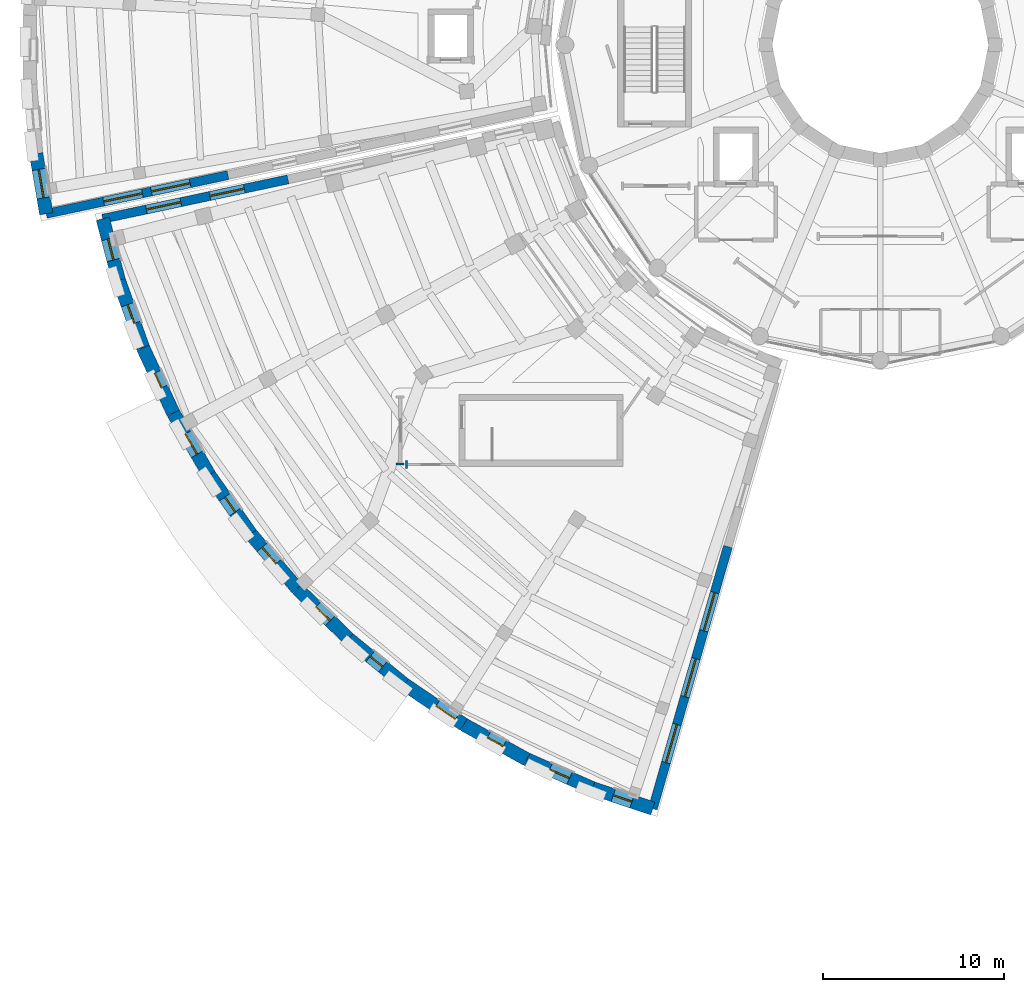
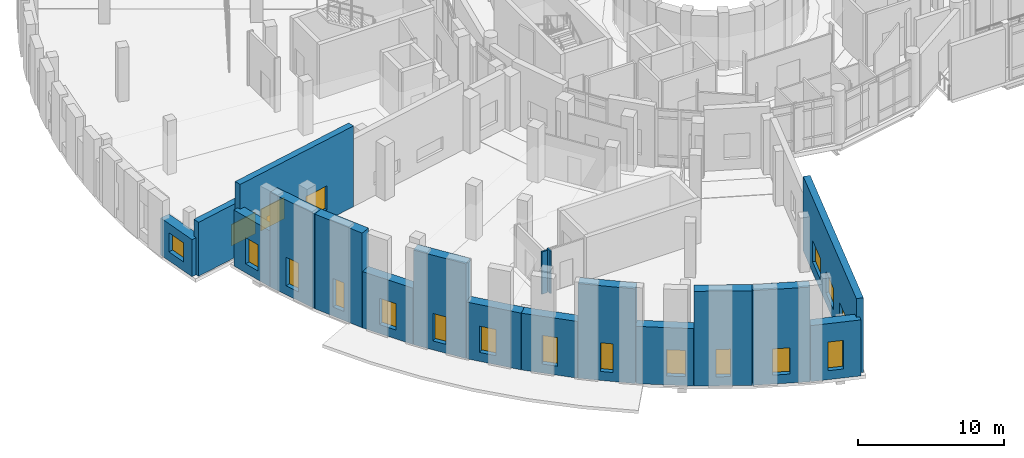
# One storey, part 60 of 89: 20 windows, 18 walls, 20 openings.
"""IFC4 building model written with IfcOpenShell, lengths in metres."""

from ifc_helpers import new_model, si_unit, direction, frame, frame_2d, origin, place, context, subcontext, project, spatial, rectangle, extrude, material, layer, layer_set, type_object, element, fill, save


model = new_model("IFC4")

# Units and contexts
model_context = context("Model", 3, precision=1e-05, world=origin(), true_north=direction((0.0, 1.0)))
body_context = subcontext(model_context, "Body", "Model", "MODEL_VIEW")
ifc_project = project(units=[si_unit("LENGTHUNIT", "METRE"), si_unit("AREAUNIT", "SQUARE_METRE"), si_unit("VOLUMEUNIT", "CUBIC_METRE"), si_unit("PLANEANGLEUNIT", "RADIAN"), si_unit("MASSUNIT", "GRAM", prefix="KILO")], contexts=[model_context])

# Site, building, storey
site_placement = place(None, origin())
site = spatial("IfcSite", under=ifc_project, at=site_placement, CompositionType="ELEMENT")
building_placement = place(site_placement, origin())
building = spatial("IfcBuilding", under=site, at=building_placement, Name="Soyqirgoq Riverine Aquarium", CompositionType="ELEMENT")
storey_placement = place(building_placement, frame((0.0, 0.0, 5.39990234375)))
storey = spatial("IfcBuildingStorey", under=building, at=storey_placement, Name="L02", CompositionType="ELEMENT", Elevation=5.39990234375)

# Walls
ifc_material_1 = material(Name="Lightweight steel-stud gypsum partition", Category="steel")
ifc_layer_1 = layer(ifc_material_1, 0.1201171875)
ifc_layer_set_1 = layer_set([ifc_layer_1], Name="Lightweight steel-stud gypsum partition")
wall_type_1 = type_object("IfcWallType", Name="PartitionWall_120_Std", PredefinedType="PARTITIONING", material=ifc_layer_set_1)
wall_1_placement = place(storey_placement, frame((29.179931640625, 33.800048828125, 0.0), z_axis=(0.0, 0.0, 1.0), x_axis=(1.0, 0.0, 0.0)))
element("IfcWall", 1, at=wall_1_placement, inside=storey, type_object=wall_type_1, Name="V2 L02 Jamb Return Pier", PredefinedType="PARTITIONING", context=body_context, shape_type="SweptSolid", body=[
    extrude(rectangle(XDim=0.440185546875, YDim=0.1201171875, at=frame_2d((0.22021484375, 0.0))), origin(), (0.0, 0.0, 1.0), 3.550048828125),
])
wall_2_placement = place(storey_placement, frame((29.760498046875, 33.97998046875, 0.0), z_axis=(0.0, 0.0, 1.0), x_axis=(0.0, -1.0, 0.0)))
element("IfcWall", 2, at=wall_2_placement, inside=storey, type_object=wall_type_1, Name="V2 L02 Jamb Return Pier", PredefinedType="PARTITIONING", context=body_context, shape_type="SweptSolid", body=[
    extrude(rectangle(XDim=0.43994140625, YDim=0.1201171875, at=frame_2d((0.219970703125, 0.0))), origin(), (0.0, 0.0, 1.0), 3.550048828125),
])

# Wall, openings, windows
ifc_material_2 = material(Name="Honed travertine limestone cavity wall", Category="masonry")
ifc_layer_2 = layer(ifc_material_2, 0.5)
ifc_layer_set_2 = layer_set([ifc_layer_2], Name="Honed travertine limestone cavity wall")
wall_type_2 = type_object("IfcWallType", Name="TravertineCavityWall_500", PredefinedType="SOLIDWALL", material=ifc_layer_set_2)
wall_3_placement = place(storey_placement, frame((47.55419921875, 29.214599609375, 0.0), z_axis=(0.0, 0.0, 1.0), x_axis=(-0.275641876593, -0.961260399615, 0.0)))
wall_3 = element("IfcWall", 3, at=wall_3_placement, inside=storey, type_object=wall_type_2, Name="V2 L02 Exterior Travertine Wall 0077", PredefinedType="SOLIDWALL", context=body_context, shape_type="SweptSolid", body=[
    extrude(rectangle(XDim=15.091796875, YDim=0.5, at=frame_2d((7.5458984375, 0.0))), origin(), (0.0, 0.0, 1.0), 6.25341796875),
])
opening_1_placement = place(wall_3_placement, frame((2.64599609375, 0.0, 0.89990234375)))
opening_1 = element("IfcOpeningElement", 4, at=opening_1_placement, cuts=wall_3, Name="Opening WN-09", PredefinedType="OPENING", context=body_context, shape_type="SweptSolid", body=[
    extrude(rectangle(XDim=2.199951171875, YDim=1.800048828125, at=frame_2d((1.10009765625, 0.89990234375))), frame((0.0, 0.260009765625, 0.0), z_axis=(0.0, -1.0, 0.0), x_axis=(1.0, 0.0, 0.0)), (0.0, 0.0, 1.0), 0.52001953125),
])
opening_2_placement = place(wall_3_placement, frame((6.44580078125, 0.0, 0.89990234375)))
opening_2 = element("IfcOpeningElement", 5, at=opening_2_placement, cuts=wall_3, Name="Opening WN-09", PredefinedType="OPENING", context=body_context, shape_type="SweptSolid", body=[
    extrude(rectangle(XDim=2.199951171875, YDim=1.800048828125, at=frame_2d((1.10009765625, 0.89990234375))), frame((0.0, 0.260009765625, 0.0), z_axis=(0.0, -1.0, 0.0), x_axis=(1.0, 0.0, 0.0)), (0.0, 0.0, 1.0), 0.52001953125),
])
opening_3_placement = place(wall_3_placement, frame((10.245849609375, 0.0, 0.89990234375)))
opening_3 = element("IfcOpeningElement", 6, at=opening_3_placement, cuts=wall_3, Name="Opening WN-09", PredefinedType="OPENING", context=body_context, shape_type="SweptSolid", body=[
    extrude(rectangle(XDim=2.199951171875, YDim=1.800048828125, at=frame_2d((1.10009765625, 0.89990234375))), frame((0.0, 0.260009765625, 0.0), z_axis=(0.0, -1.0, 0.0), x_axis=(1.0, 0.0, 0.0)), (0.0, 0.0, 1.0), 0.52001953125),
])
ifc_material_3 = material(Name="Thermally broken aluminium triple low-E window", Category="aluminium")
window_type_1 = type_object("IfcWindowType", Name="Win_Office_2200x1800", PartitioningType="TRIPLE_PANEL_VERTICAL", PredefinedType="WINDOW", material=ifc_material_3)
window_1_placement = place(opening_1_placement, origin())
window_1 = element("IfcWindow", 7, at=window_1_placement, inside=storey, type_object=window_type_1, Name="V2 L02 Facade Window 0039", OverallHeight=1.800048828125, OverallWidth=2.199951171875, PartitioningType="TRIPLE_PANEL_VERTICAL", PredefinedType="WINDOW", context=body_context, shape_type="SweptSolid", body=[
    extrude(rectangle(XDim=2.199951171875, YDim=1.800048828125, at=frame_2d((1.10009765625, 0.89990234375))), frame((0.0, 0.030029296875, 0.0), z_axis=(0.0, -1.0, 0.0), x_axis=(1.0, 0.0, 0.0)), (0.0, 0.0, 1.0), 0.06005859375),
])
fill(opening_1, window_1)
window_2_placement = place(opening_2_placement, origin())
window_2 = element("IfcWindow", 8, at=window_2_placement, inside=storey, type_object=window_type_1, Name="V2 L02 Facade Window 0040", OverallHeight=1.800048828125, OverallWidth=2.199951171875, PartitioningType="TRIPLE_PANEL_VERTICAL", PredefinedType="WINDOW", context=body_context, shape_type="SweptSolid", body=[
    extrude(rectangle(XDim=2.199951171875, YDim=1.800048828125, at=frame_2d((1.10009765625, 0.89990234375))), frame((0.0, 0.030029296875, 0.0), z_axis=(0.0, -1.0, 0.0), x_axis=(1.0, 0.0, 0.0)), (0.0, 0.0, 1.0), 0.06005859375),
])
fill(opening_2, window_2)
window_3_placement = place(opening_3_placement, origin())
window_3 = element("IfcWindow", 9, at=window_3_placement, inside=storey, type_object=window_type_1, Name="V2 L02 Facade Window 0041", OverallHeight=1.800048828125, OverallWidth=2.199951171875, PartitioningType="TRIPLE_PANEL_VERTICAL", PredefinedType="WINDOW", context=body_context, shape_type="SweptSolid", body=[
    extrude(rectangle(XDim=2.199951171875, YDim=1.800048828125, at=frame_2d((1.10009765625, 0.89990234375))), frame((0.0, 0.030029296875, 0.0), z_axis=(0.0, -1.0, 0.0), x_axis=(1.0, 0.0, 0.0)), (0.0, 0.0, 1.0), 0.06005859375),
])
fill(opening_3, window_3)

wall_4_placement = place(storey_placement, frame((12.930908203125, 47.375244140625, 0.0), z_axis=(0.0, 0.0, 1.0), x_axis=(0.978149561412, 0.207902466336, 0.0)))
wall_4 = element("IfcWall", 10, at=wall_4_placement, inside=storey, type_object=wall_type_2, Name="V2 L02 Exterior Travertine Wall 0090", PredefinedType="SOLIDWALL", context=body_context, shape_type="SweptSolid", body=[
    extrude(rectangle(XDim=10.48779296875, YDim=0.5, at=frame_2d((5.243896484375, 0.0))), origin(), (0.0, 0.0, 1.0), 6.764892578125),
])
opening_4_placement = place(wall_4_placement, frame((2.46875, 0.0, 0.89990234375)))
opening_4 = element("IfcOpeningElement", 11, at=opening_4_placement, cuts=wall_4, Name="Opening WN-14", PredefinedType="OPENING", context=body_context, shape_type="SweptSolid", body=[
    extrude(rectangle(XDim=1.949951171875, YDim=2.0, at=frame_2d((0.97509765625, 1.0))), frame((0.0, 0.260009765625, 0.0), z_axis=(0.0, -1.0, 0.0), x_axis=(1.0, 0.0, 0.0)), (0.0, 0.0, 1.0), 0.52001953125),
])
opening_5_placement = place(wall_4_placement, frame((6.06884765625, 0.0, 0.89990234375)))
opening_5 = element("IfcOpeningElement", 12, at=opening_5_placement, cuts=wall_4, Name="Opening WN-14", PredefinedType="OPENING", context=body_context, shape_type="SweptSolid", body=[
    extrude(rectangle(XDim=1.949951171875, YDim=2.0, at=frame_2d((0.97509765625, 1.0))), frame((0.0, 0.260009765625, 0.0), z_axis=(0.0, -1.0, 0.0), x_axis=(1.0, 0.0, 0.0)), (0.0, 0.0, 1.0), 0.52001953125),
])
ifc_material_4 = material(Name="Thermally broken aluminium triple low-E window", Category="aluminium")
window_type_2 = type_object("IfcWindowType", Name="Win_Gallery_1950x2000", PartitioningType="DOUBLE_PANEL_VERTICAL", PredefinedType="WINDOW", material=ifc_material_4)
window_4_placement = place(opening_4_placement, origin())
window_4 = element("IfcWindow", 13, at=window_4_placement, inside=storey, type_object=window_type_2, Name="V2 L02 Facade Window 0054", OverallHeight=2.0, OverallWidth=1.949951171875, PartitioningType="DOUBLE_PANEL_VERTICAL", PredefinedType="WINDOW", context=body_context, shape_type="SweptSolid", body=[
    extrude(rectangle(XDim=1.949951171875, YDim=2.0, at=frame_2d((0.97509765625, 1.0))), frame((0.0, 0.030029296875, 0.0), z_axis=(0.0, -1.0, 0.0), x_axis=(1.0, 0.0, 0.0)), (0.0, 0.0, 1.0), 0.06005859375),
])
fill(opening_4, window_4)
window_5_placement = place(opening_5_placement, origin())
window_5 = element("IfcWindow", 14, at=window_5_placement, inside=storey, type_object=window_type_2, Name="V2 L02 Facade Window 0055", OverallHeight=2.0, OverallWidth=1.949951171875, PartitioningType="DOUBLE_PANEL_VERTICAL", PredefinedType="WINDOW", context=body_context, shape_type="SweptSolid", body=[
    extrude(rectangle(XDim=1.949951171875, YDim=2.0, at=frame_2d((0.97509765625, 1.0))), frame((0.0, 0.030029296875, 0.0), z_axis=(0.0, -1.0, 0.0), x_axis=(1.0, 0.0, 0.0)), (0.0, 0.0, 1.0), 0.06005859375),
])
fill(opening_5, window_5)

wall_5_placement = place(storey_placement, frame((19.8671875, 49.7900390625, 0.0), z_axis=(0.0, 0.0, 1.0), x_axis=(-0.978147632512, -0.207911541315, 0.0)))
wall_5 = element("IfcWall", 15, at=wall_5_placement, inside=storey, type_object=wall_type_2, Name="V3 L02 Exterior Travertine Wall 0121", PredefinedType="SOLIDWALL", context=body_context, shape_type="SweptSolid", body=[
    extrude(rectangle(XDim=10.288818359375, YDim=0.5, at=frame_2d((5.14453125, 0.0))), origin(), (0.0, 0.0, 1.0), 4.52001953125),
])
opening_6_placement = place(wall_5_placement, frame((2.144287109375, 0.0, 0.89990234375)))
opening_6 = element("IfcOpeningElement", 16, at=opening_6_placement, cuts=wall_5, Name="Opening WN-09", PredefinedType="OPENING", context=body_context, shape_type="SweptSolid", body=[
    extrude(rectangle(XDim=2.199951171875, YDim=1.800048828125, at=frame_2d((1.10009765625, 0.89990234375))), frame((0.0, 0.260009765625, 0.0), z_axis=(0.0, -1.0, 0.0), x_axis=(1.0, 0.0, 0.0)), (0.0, 0.0, 1.0), 0.52001953125),
])
opening_7_placement = place(wall_5_placement, frame((4.84423828125, 0.0, 0.89990234375)))
opening_7 = element("IfcOpeningElement", 17, at=opening_7_placement, cuts=wall_5, Name="Opening WN-09", PredefinedType="OPENING", context=body_context, shape_type="SweptSolid", body=[
    extrude(rectangle(XDim=2.199951171875, YDim=1.800048828125, at=frame_2d((1.10009765625, 0.89990234375))), frame((0.0, 0.260009765625, 0.0), z_axis=(0.0, -1.0, 0.0), x_axis=(1.0, 0.0, 0.0)), (0.0, 0.0, 1.0), 0.52001953125),
])
window_6_placement = place(opening_6_placement, origin())
window_6 = element("IfcWindow", 18, at=window_6_placement, inside=storey, type_object=window_type_1, Name="V3 L02 Facade Window 0079", OverallHeight=1.800048828125, OverallWidth=2.199951171875, PartitioningType="TRIPLE_PANEL_VERTICAL", PredefinedType="WINDOW", context=body_context, shape_type="SweptSolid", body=[
    extrude(rectangle(XDim=2.199951171875, YDim=1.800048828125, at=frame_2d((1.10009765625, 0.89990234375))), frame((0.0, 0.030029296875, 0.0), z_axis=(0.0, -1.0, 0.0), x_axis=(1.0, 0.0, 0.0)), (0.0, 0.0, 1.0), 0.06005859375),
])
fill(opening_6, window_6)
window_7_placement = place(opening_7_placement, origin())
window_7 = element("IfcWindow", 19, at=window_7_placement, inside=storey, type_object=window_type_1, Name="V3 L02 Facade Window 0080", OverallHeight=1.800048828125, OverallWidth=2.199951171875, PartitioningType="TRIPLE_PANEL_VERTICAL", PredefinedType="WINDOW", context=body_context, shape_type="SweptSolid", body=[
    extrude(rectangle(XDim=2.199951171875, YDim=1.800048828125, at=frame_2d((1.10009765625, 0.89990234375))), frame((0.0, 0.030029296875, 0.0), z_axis=(0.0, -1.0, 0.0), x_axis=(1.0, 0.0, 0.0)), (0.0, 0.0, 1.0), 0.06005859375),
])
fill(opening_7, window_7)

# Wall, opening, window
ifc_material_5 = material(Name="Honed travertine limestone cavity wall", Category="masonry")
ifc_layer_3 = layer(ifc_material_5, 0.75)
ifc_layer_set_3 = layer_set([ifc_layer_3], Name="Honed travertine limestone cavity wall")
wall_type_3 = type_object("IfcWallType", Name="TravertineNicheWall_750", PredefinedType="SOLIDWALL", material=ifc_layer_set_3)
wall_6_placement = place(storey_placement, frame((43.394287109375, 14.70751953125, 0.0), z_axis=(0.0, 0.0, 1.0), x_axis=(-0.947882515085, 0.318620052092, 0.0)))
wall_6 = element("IfcWall", 20, at=wall_6_placement, inside=storey, type_object=wall_type_3, Name="V2 L02 Exterior Travertine Wall 0078", PredefinedType="SOLIDWALL", context=body_context, shape_type="SweptSolid", body=[
    extrude(rectangle(XDim=3.519287109375, YDim=0.75, at=frame_2d((1.759765625, 0.0))), origin(), (0.0, 0.0, 1.0), 4.693359375),
])
opening_8_placement = place(wall_6_placement, frame((1.209716796875, 0.0, 0.75)))
opening_8 = element("IfcOpeningElement", 21, at=opening_8_placement, cuts=wall_6, Name="Opening WN-02", PredefinedType="OPENING", context=body_context, shape_type="SweptSolid", body=[
    extrude(rectangle(XDim=1.10009765625, YDim=2.39990234375, at=frame_2d((0.550048828125, 1.199951171875))), frame((0.0, 0.385009765625, 0.0), z_axis=(0.0, -1.0, 0.0), x_axis=(1.0, 0.0, 0.0)), (0.0, 0.0, 1.0), 0.77001953125),
])
ifc_material_6 = material(Name="Thermally broken aluminium triple low-E window", Category="aluminium")
window_type_3 = type_object("IfcWindowType", Name="Win_Niche_1100x2400", PartitioningType="SINGLE_PANEL", PredefinedType="WINDOW", material=ifc_material_6)
window_8_placement = place(opening_8_placement, origin())
window_8 = element("IfcWindow", 22, at=window_8_placement, inside=storey, type_object=window_type_3, Name="V2 L02 Facade Window 0042", OverallHeight=2.39990234375, OverallWidth=1.10009765625, PartitioningType="SINGLE_PANEL", PredefinedType="WINDOW", context=body_context, shape_type="SweptSolid", body=[
    extrude(rectangle(XDim=1.10009765625, YDim=2.39990234375, at=frame_2d((0.550048828125, 1.199951171875))), frame((0.0, 0.030029296875, 0.0), z_axis=(0.0, -1.0, 0.0), x_axis=(1.0, 0.0, 0.0)), (0.0, 0.0, 1.0), 0.06005859375),
])
fill(opening_8, window_8)

wall_7_placement = place(storey_placement, frame((40.058349609375, 15.828857421875, 0.0), z_axis=(0.0, 0.0, 1.0), x_axis=(-0.915297845702, 0.402777672735, 0.0)))
wall_7 = element("IfcWall", 23, at=wall_7_placement, inside=storey, type_object=wall_type_3, Name="V2 L02 Exterior Travertine Wall 0079", PredefinedType="SOLIDWALL", context=body_context, shape_type="SweptSolid", body=[
    extrude(rectangle(XDim=3.97998046875, YDim=0.75, at=frame_2d((1.989990234375, 0.0))), origin(), (0.0, 0.0, 1.0), 7.932373046875),
])
opening_9_placement = place(wall_7_placement, frame((1.389892578125, 0.0, 0.75)))
opening_9 = element("IfcOpeningElement", 24, at=opening_9_placement, cuts=wall_7, Name="Opening WN-03", PredefinedType="OPENING", context=body_context, shape_type="SweptSolid", body=[
    extrude(rectangle(XDim=1.199951171875, YDim=2.199951171875, at=frame_2d((0.60009765625, 1.10009765625))), frame((0.0, 0.385009765625, 0.0), z_axis=(0.0, -1.0, 0.0), x_axis=(1.0, 0.0, 0.0)), (0.0, 0.0, 1.0), 0.77001953125),
])
ifc_material_7 = material(Name="Thermally broken aluminium triple low-E window", Category="aluminium")
window_type_4 = type_object("IfcWindowType", Name="Win_Niche_1200x2200", PartitioningType="DOUBLE_PANEL_VERTICAL", PredefinedType="WINDOW", material=ifc_material_7)
window_9_placement = place(opening_9_placement, origin())
window_9 = element("IfcWindow", 25, at=window_9_placement, inside=storey, type_object=window_type_4, Name="V2 L02 Facade Window 0043", OverallHeight=2.199951171875, OverallWidth=1.199951171875, PartitioningType="DOUBLE_PANEL_VERTICAL", PredefinedType="WINDOW", context=body_context, shape_type="SweptSolid", body=[
    extrude(rectangle(XDim=1.199951171875, YDim=2.199951171875, at=frame_2d((0.60009765625, 1.10009765625))), frame((0.0, 0.030029296875, 0.0), z_axis=(0.0, -1.0, 0.0), x_axis=(1.0, 0.0, 0.0)), (0.0, 0.0, 1.0), 0.06005859375),
])
fill(opening_9, window_9)

wall_8_placement = place(storey_placement, frame((36.41552734375, 17.431884765625, 0.0), z_axis=(0.0, 0.0, 1.0), x_axis=(-0.875332414788, 0.483521626839, 0.0)))
wall_8 = element("IfcWall", 26, at=wall_8_placement, inside=storey, type_object=wall_type_3, Name="V2 L02 Exterior Travertine Wall 0080", PredefinedType="SOLIDWALL", context=body_context, shape_type="SweptSolid", body=[
    extrude(rectangle(XDim=3.979736328125, YDim=0.75, at=frame_2d((1.98974609375, 0.0))), origin(), (0.0, 0.0, 1.0), 7.932373046875),
])
opening_10_placement = place(wall_8_placement, frame((1.489990234375, 0.0, 0.75)))
opening_10 = element("IfcOpeningElement", 27, at=opening_10_placement, cuts=wall_8, Name="Opening WN-11", PredefinedType="OPENING", context=body_context, shape_type="SweptSolid", body=[
    extrude(rectangle(XDim=1.0, YDim=2.300048828125, at=frame_2d((0.5, 1.14990234375))), frame((0.0, 0.385009765625, 0.0), z_axis=(0.0, -1.0, 0.0), x_axis=(1.0, 0.0, 0.0)), (0.0, 0.0, 1.0), 0.77001953125),
])
ifc_material_8 = material(Name="Thermally broken aluminium triple low-E window", Category="aluminium")
window_type_5 = type_object("IfcWindowType", Name="Win_Niche_1000x2300", PartitioningType="SINGLE_PANEL", PredefinedType="WINDOW", material=ifc_material_8)
window_10_placement = place(opening_10_placement, origin())
window_10 = element("IfcWindow", 28, at=window_10_placement, inside=storey, type_object=window_type_5, Name="V2 L02 Facade Window 0044", OverallHeight=2.300048828125, OverallWidth=1.0, PartitioningType="SINGLE_PANEL", PredefinedType="WINDOW", context=body_context, shape_type="SweptSolid", body=[
    extrude(rectangle(XDim=1.0, YDim=2.300048828125, at=frame_2d((0.5, 1.14990234375))), frame((0.0, 0.030029296875, 0.0), z_axis=(0.0, -1.0, 0.0), x_axis=(1.0, 0.0, 0.0)), (0.0, 0.0, 1.0), 0.06005859375),
])
fill(opening_10, window_10)

wall_9_placement = place(storey_placement, frame((32.931884765625, 19.356201171875, 0.0), z_axis=(0.0, 0.0, 1.0), x_axis=(-0.828246569426, 0.560363828448, 0.0)))
wall_9 = element("IfcWall", 29, at=wall_9_placement, inside=storey, type_object=wall_type_3, Name="V2 L02 Exterior Travertine Wall 0081", PredefinedType="SOLIDWALL", context=body_context, shape_type="SweptSolid", body=[
    extrude(rectangle(XDim=3.97998046875, YDim=0.75, at=frame_2d((1.989990234375, 0.0))), origin(), (0.0, 0.0, 1.0), 4.80322265625),
])
opening_11_placement = place(wall_9_placement, frame((0.56005859375, 0.0, 0.75)))
opening_11 = element("IfcOpeningElement", 30, at=opening_11_placement, cuts=wall_9, Name="Opening WN-12", PredefinedType="OPENING", context=body_context, shape_type="SweptSolid", body=[
    extrude(rectangle(XDim=1.300048828125, YDim=2.199951171875, at=frame_2d((0.64990234375, 1.10009765625))), frame((0.0, 0.385009765625, 0.0), z_axis=(0.0, -1.0, 0.0), x_axis=(1.0, 0.0, 0.0)), (0.0, 0.0, 1.0), 0.77001953125),
])
ifc_material_9 = material(Name="Thermally broken aluminium triple low-E window", Category="aluminium")
window_type_6 = type_object("IfcWindowType", Name="Win_Niche_1300x2200", PartitioningType="DOUBLE_PANEL_VERTICAL", PredefinedType="WINDOW", material=ifc_material_9)
window_11_placement = place(opening_11_placement, origin())
window_11 = element("IfcWindow", 31, at=window_11_placement, inside=storey, type_object=window_type_6, Name="V2 L02 Facade Window 0045", OverallHeight=2.199951171875, OverallWidth=1.300048828125, PartitioningType="DOUBLE_PANEL_VERTICAL", PredefinedType="WINDOW", context=body_context, shape_type="SweptSolid", body=[
    extrude(rectangle(XDim=1.300048828125, YDim=2.199951171875, at=frame_2d((0.64990234375, 1.10009765625))), frame((0.0, 0.030029296875, 0.0), z_axis=(0.0, -1.0, 0.0), x_axis=(1.0, 0.0, 0.0)), (0.0, 0.0, 1.0), 0.06005859375),
])
fill(opening_11, window_11)

wall_10_placement = place(storey_placement, frame((29.635498046875, 21.58642578125, 0.0), z_axis=(0.0, 0.0, 1.0), x_axis=(-0.77437531836, 0.632726533595, 0.0)))
wall_10 = element("IfcWall", 32, at=wall_10_placement, inside=storey, type_object=wall_type_3, Name="V2 L02 Exterior Travertine Wall 0082", PredefinedType="SOLIDWALL", context=body_context, shape_type="SweptSolid", body=[
    extrude(rectangle(XDim=3.979736328125, YDim=0.75, at=frame_2d((1.98974609375, 0.0))), origin(), (0.0, 0.0, 1.0), 7.932373046875),
])
opening_12_placement = place(wall_10_placement, frame((1.539794921875, 0.0, 0.75)))
opening_12 = element("IfcOpeningElement", 33, at=opening_12_placement, cuts=wall_10, Name="Opening WN-01", PredefinedType="OPENING", context=body_context, shape_type="SweptSolid", body=[
    extrude(rectangle(XDim=0.89990234375, YDim=2.39990234375, at=frame_2d((0.449951171875, 1.199951171875))), frame((0.0, 0.385009765625, 0.0), z_axis=(0.0, -1.0, 0.0), x_axis=(1.0, 0.0, 0.0)), (0.0, 0.0, 1.0), 0.77001953125),
])
ifc_material_10 = material(Name="Thermally broken aluminium triple low-E window", Category="aluminium")
window_type_7 = type_object("IfcWindowType", Name="Win_Niche_900x2400", PartitioningType="SINGLE_PANEL", PredefinedType="WINDOW", material=ifc_material_10)
window_12_placement = place(opening_12_placement, origin())
window_12 = element("IfcWindow", 34, at=window_12_placement, inside=storey, type_object=window_type_7, Name="V2 L02 Facade Window 0046", OverallHeight=2.39990234375, OverallWidth=0.89990234375, PartitioningType="SINGLE_PANEL", PredefinedType="WINDOW", context=body_context, shape_type="SweptSolid", body=[
    extrude(rectangle(XDim=0.89990234375, YDim=2.39990234375, at=frame_2d((0.449951171875, 1.199951171875))), frame((0.0, 0.030029296875, 0.0), z_axis=(0.0, -1.0, 0.0), x_axis=(1.0, 0.0, 0.0)), (0.0, 0.0, 1.0), 0.06005859375),
])
fill(opening_12, window_12)

wall_11_placement = place(storey_placement, frame((26.5537109375, 24.1044921875, 0.0), z_axis=(0.0, 0.0, 1.0), x_axis=(-0.71427784637, 0.699862242291, 0.0)))
wall_11 = element("IfcWall", 35, at=wall_11_placement, inside=storey, type_object=wall_type_3, Name="V2 L02 Exterior Travertine Wall 0083", PredefinedType="SOLIDWALL", context=body_context, shape_type="SweptSolid", body=[
    extrude(rectangle(XDim=3.97998046875, YDim=0.75, at=frame_2d((1.989990234375, 0.0))), origin(), (0.0, 0.0, 1.0), 4.753173828125),
])
opening_13_placement = place(wall_11_placement, frame((1.43994140625, 0.0, 0.75)))
opening_13 = element("IfcOpeningElement", 36, at=opening_13_placement, cuts=wall_11, Name="Opening WN-02", PredefinedType="OPENING", context=body_context, shape_type="SweptSolid", body=[
    extrude(rectangle(XDim=1.10009765625, YDim=2.39990234375, at=frame_2d((0.550048828125, 1.199951171875))), frame((0.0, 0.385009765625, 0.0), z_axis=(0.0, -1.0, 0.0), x_axis=(1.0, 0.0, 0.0)), (0.0, 0.0, 1.0), 0.77001953125),
])
window_13_placement = place(opening_13_placement, origin())
window_13 = element("IfcWindow", 37, at=window_13_placement, inside=storey, type_object=window_type_3, Name="V2 L02 Facade Window 0047", OverallHeight=2.39990234375, OverallWidth=1.10009765625, PartitioningType="SINGLE_PANEL", PredefinedType="WINDOW", context=body_context, shape_type="SweptSolid", body=[
    extrude(rectangle(XDim=1.10009765625, YDim=2.39990234375, at=frame_2d((0.550048828125, 1.199951171875))), frame((0.0, 0.030029296875, 0.0), z_axis=(0.0, -1.0, 0.0), x_axis=(1.0, 0.0, 0.0)), (0.0, 0.0, 1.0), 0.06005859375),
])
fill(opening_13, window_13)

wall_12_placement = place(storey_placement, frame((23.7109375, 26.889892578125, 0.0), z_axis=(0.0, 0.0, 1.0), x_axis=(-0.648317673159, 0.761369945998, 0.0)))
wall_12 = element("IfcWall", 38, at=wall_12_placement, inside=storey, type_object=wall_type_3, Name="V2 L02 Exterior Travertine Wall 0084", PredefinedType="SOLIDWALL", context=body_context, shape_type="SweptSolid", body=[
    extrude(rectangle(XDim=3.97998046875, YDim=0.75, at=frame_2d((1.989990234375, 0.0))), origin(), (0.0, 0.0, 1.0), 4.753173828125),
])
opening_14_placement = place(wall_12_placement, frame((1.809814453125, 0.0, 0.75)))
opening_14 = element("IfcOpeningElement", 39, at=opening_14_placement, cuts=wall_12, Name="Opening WN-03", PredefinedType="OPENING", context=body_context, shape_type="SweptSolid", body=[
    extrude(rectangle(XDim=1.199951171875, YDim=2.199951171875, at=frame_2d((0.60009765625, 1.10009765625))), frame((0.0, 0.385009765625, 0.0), z_axis=(0.0, -1.0, 0.0), x_axis=(1.0, 0.0, 0.0)), (0.0, 0.0, 1.0), 0.77001953125),
])
window_14_placement = place(opening_14_placement, origin())
window_14 = element("IfcWindow", 40, at=window_14_placement, inside=storey, type_object=window_type_4, Name="V2 L02 Facade Window 0048", OverallHeight=2.199951171875, OverallWidth=1.199951171875, PartitioningType="DOUBLE_PANEL_VERTICAL", PredefinedType="WINDOW", context=body_context, shape_type="SweptSolid", body=[
    extrude(rectangle(XDim=1.199951171875, YDim=2.199951171875, at=frame_2d((0.60009765625, 1.10009765625))), frame((0.0, 0.030029296875, 0.0), z_axis=(0.0, -1.0, 0.0), x_axis=(1.0, 0.0, 0.0)), (0.0, 0.0, 1.0), 0.06005859375),
])
fill(opening_14, window_14)

wall_13_placement = place(storey_placement, frame((21.130615234375, 29.920166015625, 0.0), z_axis=(0.0, 0.0, 1.0), x_axis=(-0.57714553978, 0.816641307988, 0.0)))
wall_13 = element("IfcWall", 41, at=wall_13_placement, inside=storey, type_object=wall_type_3, Name="V2 L02 Exterior Travertine Wall 0085", PredefinedType="SOLIDWALL", context=body_context, shape_type="SweptSolid", body=[
    extrude(rectangle(XDim=3.979736328125, YDim=0.75, at=frame_2d((1.98974609375, 0.0))), origin(), (0.0, 0.0, 1.0), 7.932373046875),
])
opening_15_placement = place(wall_13_placement, frame((1.489990234375, 0.0, 0.75)))
opening_15 = element("IfcOpeningElement", 42, at=opening_15_placement, cuts=wall_13, Name="Opening WN-11", PredefinedType="OPENING", context=body_context, shape_type="SweptSolid", body=[
    extrude(rectangle(XDim=1.0, YDim=2.300048828125, at=frame_2d((0.5, 1.14990234375))), frame((0.0, 0.385009765625, 0.0), z_axis=(0.0, -1.0, 0.0), x_axis=(1.0, 0.0, 0.0)), (0.0, 0.0, 1.0), 0.77001953125),
])
window_15_placement = place(opening_15_placement, origin())
window_15 = element("IfcWindow", 43, at=window_15_placement, inside=storey, type_object=window_type_5, Name="V2 L02 Facade Window 0049", OverallHeight=2.300048828125, OverallWidth=1.0, PartitioningType="SINGLE_PANEL", PredefinedType="WINDOW", context=body_context, shape_type="SweptSolid", body=[
    extrude(rectangle(XDim=1.0, YDim=2.300048828125, at=frame_2d((0.5, 1.14990234375))), frame((0.0, 0.030029296875, 0.0), z_axis=(0.0, -1.0, 0.0), x_axis=(1.0, 0.0, 0.0)), (0.0, 0.0, 1.0), 0.06005859375),
])
fill(opening_15, window_15)

wall_14_placement = place(storey_placement, frame((18.833740234375, 33.170166015625, 0.0), z_axis=(0.0, 0.0, 1.0), x_axis=(-0.501236959452, 0.865310066091, 0.0)))
wall_14 = element("IfcWall", 44, at=wall_14_placement, inside=storey, type_object=wall_type_3, Name="V2 L02 Exterior Travertine Wall 0086", PredefinedType="SOLIDWALL", context=body_context, shape_type="SweptSolid", body=[
    extrude(rectangle(XDim=3.97998046875, YDim=0.75, at=frame_2d((1.989990234375, 0.0))), origin(), (0.0, 0.0, 1.0), 4.723388671875),
])
opening_16_placement = place(wall_14_placement, frame((1.33984375, 0.0, 0.75)))
opening_16 = element("IfcOpeningElement", 45, at=opening_16_placement, cuts=wall_14, Name="Opening WN-12", PredefinedType="OPENING", context=body_context, shape_type="SweptSolid", body=[
    extrude(rectangle(XDim=1.300048828125, YDim=2.199951171875, at=frame_2d((0.64990234375, 1.10009765625))), frame((0.0, 0.385009765625, 0.0), z_axis=(0.0, -1.0, 0.0), x_axis=(1.0, 0.0, 0.0)), (0.0, 0.0, 1.0), 0.77001953125),
])
window_16_placement = place(opening_16_placement, origin())
window_16 = element("IfcWindow", 46, at=window_16_placement, inside=storey, type_object=window_type_6, Name="V2 L02 Facade Window 0050", OverallHeight=2.199951171875, OverallWidth=1.300048828125, PartitioningType="DOUBLE_PANEL_VERTICAL", PredefinedType="WINDOW", context=body_context, shape_type="SweptSolid", body=[
    extrude(rectangle(XDim=1.300048828125, YDim=2.199951171875, at=frame_2d((0.64990234375, 1.10009765625))), frame((0.0, 0.030029296875, 0.0), z_axis=(0.0, -1.0, 0.0), x_axis=(1.0, 0.0, 0.0)), (0.0, 0.0, 1.0), 0.06005859375),
])
fill(opening_16, window_16)

wall_15_placement = place(storey_placement, frame((16.8388671875, 36.614013671875, 0.0), z_axis=(0.0, 0.0, 1.0), x_axis=(-0.421313159568, 0.906915222926, 0.0)))
wall_15 = element("IfcWall", 47, at=wall_15_placement, inside=storey, type_object=wall_type_3, Name="V2 L02 Exterior Travertine Wall 0087", PredefinedType="SOLIDWALL", context=body_context, shape_type="SweptSolid", body=[
    extrude(rectangle(XDim=3.979736328125, YDim=0.75, at=frame_2d((1.98974609375, 0.0))), origin(), (0.0, 0.0, 1.0), 7.932373046875),
])
opening_17_placement = place(wall_15_placement, frame((1.539794921875, 0.0, 0.75)))
opening_17 = element("IfcOpeningElement", 48, at=opening_17_placement, cuts=wall_15, Name="Opening WN-01", PredefinedType="OPENING", context=body_context, shape_type="SweptSolid", body=[
    extrude(rectangle(XDim=0.89990234375, YDim=2.39990234375, at=frame_2d((0.449951171875, 1.199951171875))), frame((0.0, 0.385009765625, 0.0), z_axis=(0.0, -1.0, 0.0), x_axis=(1.0, 0.0, 0.0)), (0.0, 0.0, 1.0), 0.77001953125),
])
window_17_placement = place(opening_17_placement, origin())
window_17 = element("IfcWindow", 49, at=window_17_placement, inside=storey, type_object=window_type_7, Name="V2 L02 Facade Window 0051", OverallHeight=2.39990234375, OverallWidth=0.89990234375, PartitioningType="SINGLE_PANEL", PredefinedType="WINDOW", context=body_context, shape_type="SweptSolid", body=[
    extrude(rectangle(XDim=0.89990234375, YDim=2.39990234375, at=frame_2d((0.449951171875, 1.199951171875))), frame((0.0, 0.030029296875, 0.0), z_axis=(0.0, -1.0, 0.0), x_axis=(1.0, 0.0, 0.0)), (0.0, 0.0, 1.0), 0.06005859375),
])
fill(opening_17, window_17)

wall_16_placement = place(storey_placement, frame((15.162109375, 40.223388671875, 0.0), z_axis=(0.0, 0.0, 1.0), x_axis=(-0.337952536629, 0.941163154286, 0.0)))
wall_16 = element("IfcWall", 50, at=wall_16_placement, inside=storey, type_object=wall_type_3, Name="V2 L02 Exterior Travertine Wall 0088", PredefinedType="SOLIDWALL", context=body_context, shape_type="SweptSolid", body=[
    extrude(rectangle(XDim=3.979736328125, YDim=0.75, at=frame_2d((1.98974609375, 0.0))), origin(), (0.0, 0.0, 1.0), 7.932373046875),
])
opening_18_placement = place(wall_16_placement, frame((1.43994140625, 0.0, 0.75)))
opening_18 = element("IfcOpeningElement", 51, at=opening_18_placement, cuts=wall_16, Name="Opening WN-02", PredefinedType="OPENING", context=body_context, shape_type="SweptSolid", body=[
    extrude(rectangle(XDim=1.10009765625, YDim=2.39990234375, at=frame_2d((0.550048828125, 1.199951171875))), frame((0.0, 0.385009765625, 0.0), z_axis=(0.0, -1.0, 0.0), x_axis=(1.0, 0.0, 0.0)), (0.0, 0.0, 1.0), 0.77001953125),
])
window_18_placement = place(opening_18_placement, origin())
window_18 = element("IfcWindow", 52, at=window_18_placement, inside=storey, type_object=window_type_3, Name="V2 L02 Facade Window 0052", OverallHeight=2.39990234375, OverallWidth=1.10009765625, PartitioningType="SINGLE_PANEL", PredefinedType="WINDOW", context=body_context, shape_type="SweptSolid", body=[
    extrude(rectangle(XDim=1.10009765625, YDim=2.39990234375, at=frame_2d((0.550048828125, 1.199951171875))), frame((0.0, 0.030029296875, 0.0), z_axis=(0.0, -1.0, 0.0), x_axis=(1.0, 0.0, 0.0)), (0.0, 0.0, 1.0), 0.06005859375),
])
fill(opening_18, window_18)

wall_17_placement = place(storey_placement, frame((13.817138671875, 43.968994140625, 0.0), z_axis=(0.0, 0.0, 1.0), x_axis=(-0.251794980931, 0.967780598885, 0.0)))
wall_17 = element("IfcWall", 53, at=wall_17_placement, inside=storey, type_object=wall_type_3, Name="V2 L02 Exterior Travertine Wall 0089", PredefinedType="SOLIDWALL", context=body_context, shape_type="SweptSolid", body=[
    extrude(rectangle(XDim=3.51953125, YDim=0.75, at=frame_2d((1.759765625, 0.0))), origin(), (0.0, 0.0, 1.0), 4.693359375),
])
opening_19_placement = place(wall_17_placement, frame((1.15966796875, 0.0, 0.75)))
opening_19 = element("IfcOpeningElement", 54, at=opening_19_placement, cuts=wall_17, Name="Opening WN-03", PredefinedType="OPENING", context=body_context, shape_type="SweptSolid", body=[
    extrude(rectangle(XDim=1.199951171875, YDim=2.199951171875, at=frame_2d((0.60009765625, 1.10009765625))), frame((0.0, 0.385009765625, 0.0), z_axis=(0.0, -1.0, 0.0), x_axis=(1.0, 0.0, 0.0)), (0.0, 0.0, 1.0), 0.77001953125),
])
window_19_placement = place(opening_19_placement, origin())
window_19 = element("IfcWindow", 55, at=window_19_placement, inside=storey, type_object=window_type_4, Name="V2 L02 Facade Window 0053", OverallHeight=2.199951171875, OverallWidth=1.199951171875, PartitioningType="DOUBLE_PANEL_VERTICAL", PredefinedType="WINDOW", context=body_context, shape_type="SweptSolid", body=[
    extrude(rectangle(XDim=1.199951171875, YDim=2.199951171875, at=frame_2d((0.60009765625, 1.10009765625))), frame((0.0, 0.030029296875, 0.0), z_axis=(0.0, -1.0, 0.0), x_axis=(1.0, 0.0, 0.0)), (0.0, 0.0, 1.0), 0.06005859375),
])
fill(opening_19, window_19)

wall_18_placement = place(storey_placement, frame((9.80322265625, 47.65087890625, 0.0), z_axis=(0.0, 0.0, 1.0), x_axis=(-0.167924850396, 0.985799799462, 0.0)))
wall_18 = element("IfcWall", 56, at=wall_18_placement, inside=storey, type_object=wall_type_3, Name="V3 L02 Exterior Travertine Wall 0122", PredefinedType="SOLIDWALL", context=body_context, shape_type="SweptSolid", body=[
    extrude(rectangle(XDim=3.37890625, YDim=0.75, at=frame_2d((1.689453125, 0.0))), origin(), (0.0, 0.0, 1.0), 3.110107421875),
])
opening_20_placement = place(wall_18_placement, frame((0.889404296875, 0.0, 0.75)))
opening_20 = element("IfcOpeningElement", 57, at=opening_20_placement, cuts=wall_18, Name="Opening WN-06", PredefinedType="OPENING", context=body_context, shape_type="SweptSolid", body=[
    extrude(rectangle(XDim=1.60009765625, YDim=1.60009765625, at=frame_2d((0.800048828125, 0.800048828125))), frame((0.0, 0.385009765625, 0.0), z_axis=(0.0, -1.0, 0.0), x_axis=(1.0, 0.0, 0.0)), (0.0, 0.0, 1.0), 0.77001953125),
])
ifc_material_11 = material(Name="Thermally broken aluminium triple low-E window", Category="aluminium")
window_type_8 = type_object("IfcWindowType", Name="Win_Lab_1600x1600", PartitioningType="DOUBLE_PANEL_VERTICAL", PredefinedType="WINDOW", material=ifc_material_11)
window_20_placement = place(opening_20_placement, origin())
window_20 = element("IfcWindow", 58, at=window_20_placement, inside=storey, type_object=window_type_8, Name="V3 L02 Facade Window 0081", OverallHeight=1.60009765625, OverallWidth=1.60009765625, PartitioningType="DOUBLE_PANEL_VERTICAL", PredefinedType="WINDOW", context=body_context, shape_type="SweptSolid", body=[
    extrude(rectangle(XDim=1.60009765625, YDim=1.60009765625, at=frame_2d((0.800048828125, 0.800048828125))), frame((0.0, 0.030029296875, 0.0), z_axis=(0.0, -1.0, 0.0), x_axis=(1.0, 0.0, 0.0)), (0.0, 0.0, 1.0), 0.06005859375),
])
fill(opening_20, window_20)

save(model, "model.ifc")
